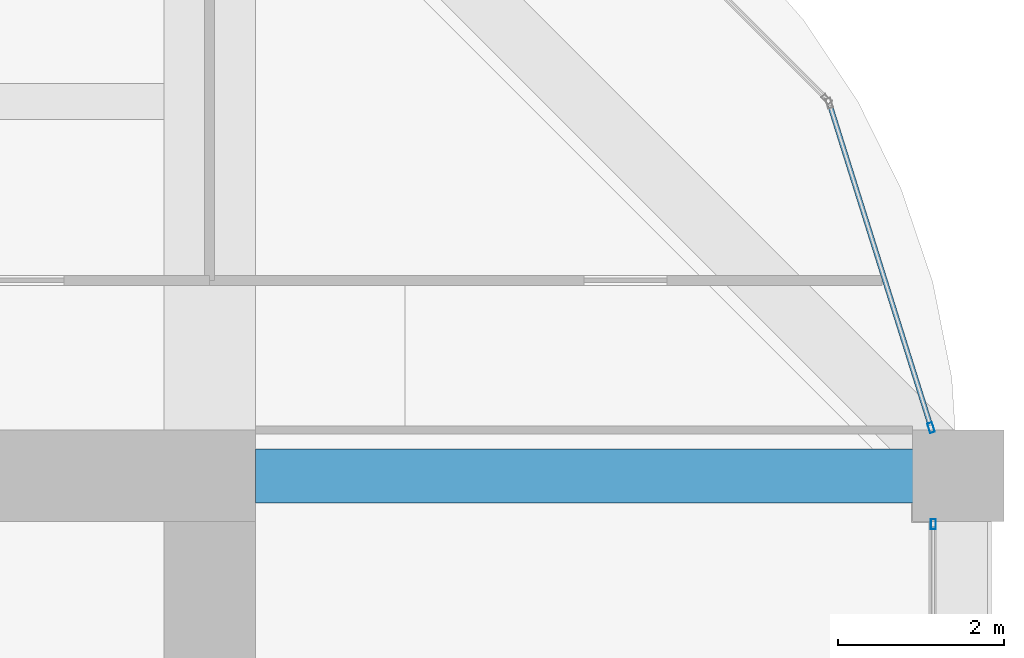
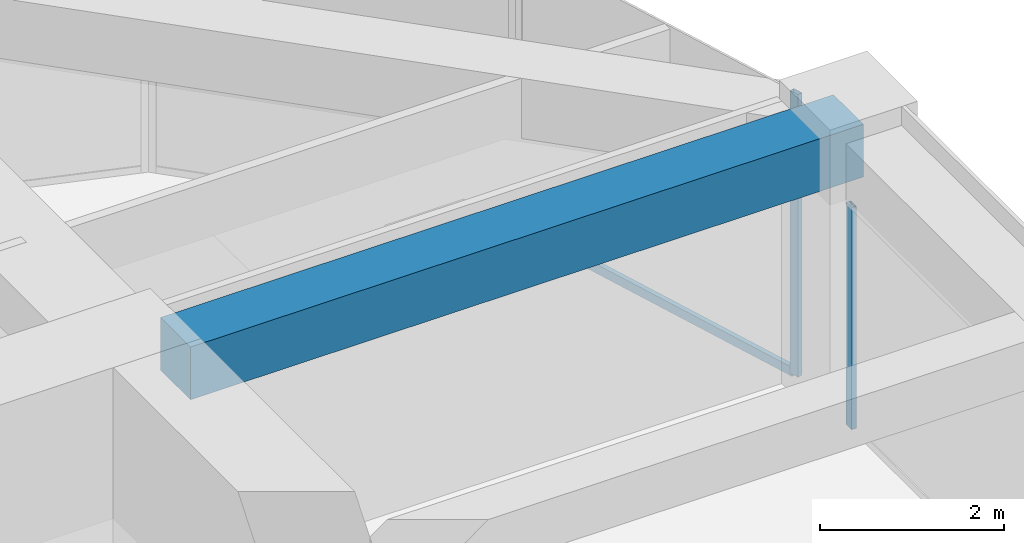
# One storey, part 36 of 44: 3 members, 1 beam, 2 elements without a shape of their own.
"""IFC4 building model written with IfcOpenShell, lengths in metres."""

from ifc_helpers import new_model, si_unit, direction, frame, origin, origin_2d, place, context, subcontext, project, spatial, rectangle, hollow_rectangle, extrude, material, material_profile, profile_set, type_object, element, aggregate, save


model = new_model("IFC4")

# Units and contexts
model_context = context("Model", 3, precision=1e-05, world=origin(), true_north=direction((0.0, 1.0)))
body_context = subcontext(model_context, "Body", "Model", "MODEL_VIEW")
ifc_project = project(units=[si_unit("LENGTHUNIT", "METRE"), si_unit("AREAUNIT", "SQUARE_METRE"), si_unit("VOLUMEUNIT", "CUBIC_METRE"), si_unit("PLANEANGLEUNIT", "RADIAN"), si_unit("MASSUNIT", "GRAM", prefix="KILO")], contexts=[model_context])

# Site, building, storey
site_placement = place(None, origin())
site = spatial("IfcSite", under=ifc_project, at=site_placement, CompositionType="ELEMENT")
building_placement = place(site_placement, origin())
building = spatial("IfcBuilding", under=site, at=building_placement, Name="Zorevar Civic Tower", CompositionType="ELEMENT")
storey_placement = place(building_placement, frame((0.0, 0.0, 283.39990234375)))
storey = spatial("IfcBuildingStorey", under=building, at=storey_placement, Name="L69", CompositionType="ELEMENT", Elevation=283.39990234375)

# Beam
ifc_material_1 = material(Name="Concrete C50/60", Category="concrete")
ifc_material_profile_1 = material_profile(ifc_material_1, rectangle(XDim=0.64990234375, YDim=0.699951171875, at=origin_2d()), Name="RC 650x700")
ifc_profile_set_1 = profile_set([ifc_material_profile_1], Name="Concrete C50/60")
beam_type = type_object("IfcBeamType", Name="Beam RC 650x700", PredefinedType="BEAM", material=ifc_profile_set_1)
beam_placement = place(storey_placement, frame((45.550048828125, 36.0, 3.400146484375), z_axis=(1.0, 0.0, 0.0), x_axis=(0.0, 1.0, 0.0)))
element("IfcBeam", 1, at=beam_placement, inside=storey, type_object=beam_type, Name="Girder L70", PredefinedType="BEAM", context=body_context, shape_type="SweptSolid", body=[
    extrude(rectangle(XDim=0.64990234375, YDim=0.699951171875, at=origin_2d()), origin(), (0.0, 0.0, 1.0), 8.449951171875),
])

# Curtain wall, member
ifc_material_2 = material(Name="Dark grey solar-control glass in black aluminium frame", Category="aluminium")
curtain_wall_type = type_object("IfcCurtainWallType", Name="Curtain wall CW5 top zone", PredefinedType="NOTDEFINED", material=ifc_material_2)
curtain_wall_1_placement = place(storey_placement, origin())
curtain_wall_1 = element("IfcCurtainWall", 2, at=curtain_wall_1_placement, inside=storey, type_object=curtain_wall_type, Name="CW5 L69", PredefinedType="NOTDEFINED")
ifc_material_3 = material(Name="Aluminium, black anodised", Category="aluminium")
ifc_material_profile_2 = material_profile(ifc_material_3, hollow_rectangle(XDim=0.06005859375, YDim=0.1201171875, WallThickness=0.0029296875, at=origin_2d()), Name="AL 120x60x3")
ifc_profile_set_2 = profile_set([ifc_material_profile_2], Name="Aluminium, black anodised")
member_type_1 = type_object("IfcMemberType", Name="CW5 mullion AL 120x60x3", PredefinedType="MULLION", material=ifc_profile_set_2)
member_1_placement = place(storey_placement, frame((53.699951171875, 35.419921875, 0.0), z_axis=(0.0, 0.0, 1.0), x_axis=(-1.0, 0.0, 0.0)))
member_1 = element("IfcMember", 3, at=member_1_placement, type_object=member_type_1, Name="CW5 mullion 3", PredefinedType="MULLION", context=body_context, shape_type="SweptSolid", body=[
    extrude(hollow_rectangle(XDim=0.06005859375, YDim=0.1201171875, WallThickness=0.0029296875, at=origin_2d()), origin(), (0.0, 0.0, 1.0), 2.9501953125),
])
aggregate(curtain_wall_1, [member_1])

# Curtain wall, members
curtain_wall_2_placement = place(storey_placement, origin())
curtain_wall_2 = element("IfcCurtainWall", 4, at=curtain_wall_2_placement, inside=storey, type_object=curtain_wall_type, Name="CW5 L69", PredefinedType="NOTDEFINED")
member_2_placement = place(storey_placement, frame((53.673583984375, 36.57861328125, 0.0), z_axis=(0.0, 0.0, 1.0), x_axis=(-0.954153437674, -0.299317920238, 0.0)))
member_2 = element("IfcMember", 5, at=member_2_placement, type_object=member_type_1, Name="CW5 mullion 1", PredefinedType="MULLION", context=body_context, shape_type="SweptSolid", body=[
    extrude(hollow_rectangle(XDim=0.06005859375, YDim=0.1201171875, WallThickness=0.0029296875, at=origin_2d()), origin(), (0.0, 0.0, 1.0), 3.75),
])
ifc_material_4 = material(Name="Aluminium, black anodised", Category="aluminium")
ifc_material_profile_3 = material_profile(ifc_material_4, hollow_rectangle(XDim=0.06005859375, YDim=0.1201171875, WallThickness=0.0029296875, at=origin_2d()), Name="AL 120x60x3")
ifc_profile_set_3 = profile_set([ifc_material_profile_3], Name="Aluminium, black anodised")
member_type_2 = type_object("IfcMemberType", Name="CW5 transom AL 120x60x3", PredefinedType="USERDEFINED", material=ifc_profile_set_3)
member_3_placement = place(storey_placement, frame((53.66455078125, 36.607177734375, 0.030029296875), z_axis=(-0.299285978047, 0.954163457351, 0.0), x_axis=(-0.954163457351, -0.299285978047, 0.0)))
member_3 = element("IfcMember", 6, at=member_3_placement, type_object=member_type_2, Name="CW5 sill transom", ObjectType="TRANSOM", PredefinedType="USERDEFINED", context=body_context, shape_type="SweptSolid", body=[
    extrude(hollow_rectangle(XDim=0.06005859375, YDim=0.1201171875, WallThickness=0.0029296875, at=origin_2d()), origin(), (0.0, 0.0, 1.0), 4.028076171875),
])
aggregate(curtain_wall_2, [member_2, member_3])

save(model, "model.ifc")
